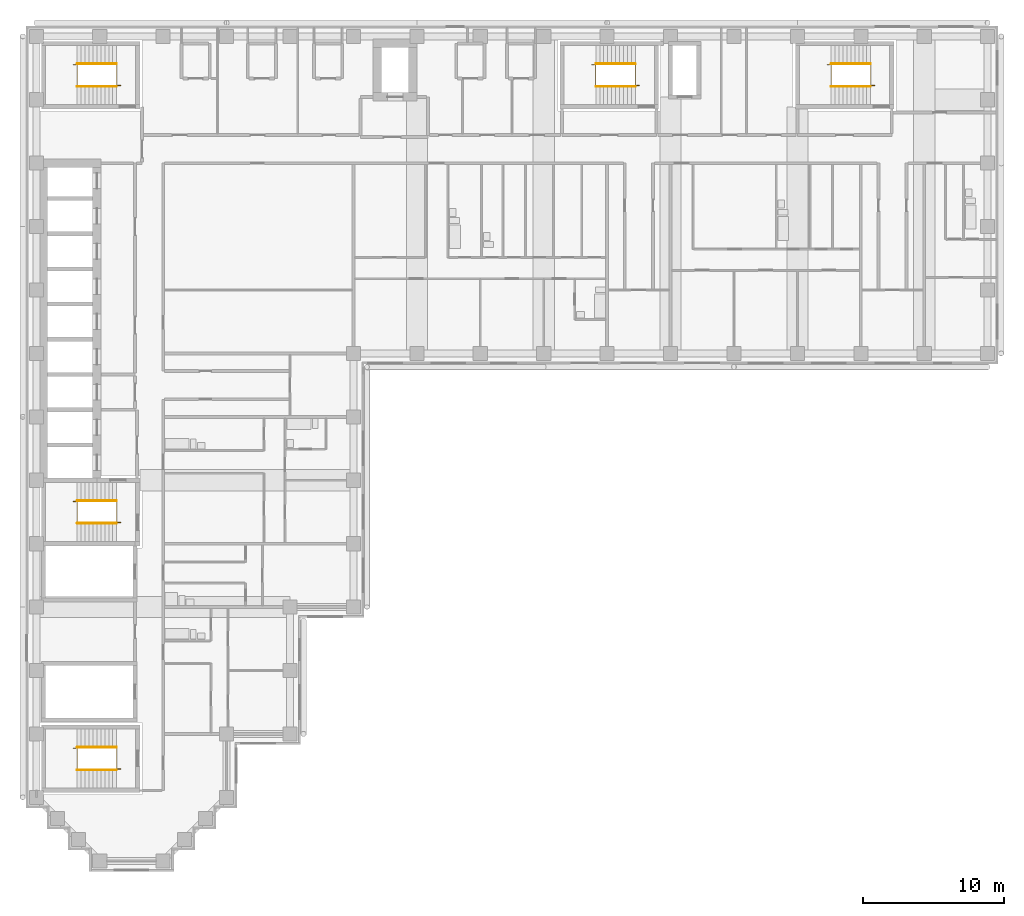
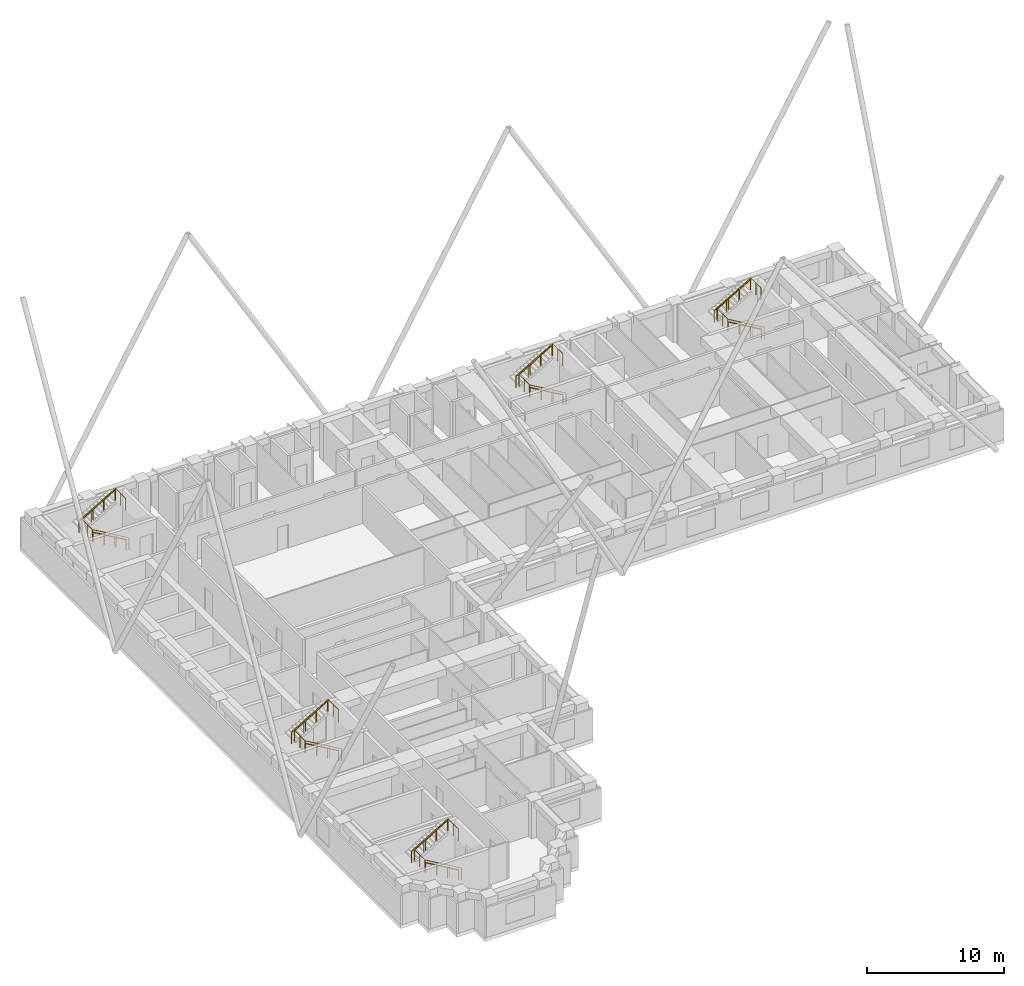
# One storey, part 12 of 13: 15 railings.
"""IFC4 building model written with IfcOpenShell, lengths in metres."""

from ifc_helpers import new_model, si_unit, direction, frame, origin, origin_2d, place, context, subcontext, project, spatial, circle, extrude, material, type_object, element, save


model = new_model("IFC4")

# Units and contexts
model_context = context("Model", 3, precision=1e-05, world=origin(), true_north=direction((0.0, 1.0)))
body_context = subcontext(model_context, "Body", "Model", "MODEL_VIEW")
ifc_project = project(units=[si_unit("LENGTHUNIT", "METRE"), si_unit("AREAUNIT", "SQUARE_METRE"), si_unit("VOLUMEUNIT", "CUBIC_METRE"), si_unit("PLANEANGLEUNIT", "RADIAN"), si_unit("MASSUNIT", "GRAM", prefix="KILO")], contexts=[model_context])

# Site, building, storey
site_placement = place(None, origin())
site = spatial("IfcSite", under=ifc_project, at=site_placement, CompositionType="ELEMENT")
building_placement = place(site_placement, origin())
building = spatial("IfcBuilding", under=site, at=building_placement, Name="Firuza Court", CompositionType="ELEMENT")
storey_placement = place(building_placement, frame((0.0, 0.0, 162.800048828125)))
storey = spatial("IfcBuildingStorey", under=building, at=storey_placement, Name="L41", CompositionType="ELEMENT", Elevation=162.800048828125)

# Railings
ifc_material_1 = material(Name="Steel S355", Category="steel")
railing_type_1 = type_object("IfcRailingType", Name="Handrail 900", PredefinedType="HANDRAIL", material=ifc_material_1)
railing_1_placement = place(storey_placement, frame((42.5, 54.949951171875, 0.16357421875)))
element("IfcRailing", 1, at=railing_1_placement, inside=storey, type_object=railing_type_1, Name="Handrail S1 flight 1", PredefinedType="HANDRAIL", context=body_context, shape_type="SweptSolid", body=[
    extrude(circle(Radius=0.02490234375, at=origin_2d()), frame((0.0, 0.0, 0.875), z_axis=(-0.863360870873, 0.0, 0.504586966384), x_axis=(0.0, -1.0, 0.0)), (0.0, 0.0, 1.0), 3.2431640625),
    extrude(circle(Radius=0.02001953125, at=origin_2d()), origin(), (0.0, 0.0, 1.0), 0.849853515625),
    extrude(circle(Radius=0.02001953125, at=origin_2d()), frame((-0.933349609375, 0.0, 0.54541015625)), (0.0, 0.0, 1.0), 0.849853515625),
    extrude(circle(Radius=0.02001953125, at=origin_2d()), frame((-1.86669921875, 0.0, 1.091064453125)), (0.0, 0.0, 1.0), 0.849853515625),
    extrude(circle(Radius=0.02001953125, at=origin_2d()), frame((-2.800048828125, 0.0, 1.636474609375)), (0.0, 0.0, 1.0), 0.849853515625),
])
railing_2_placement = place(storey_placement, frame((39.699951171875, 56.550048828125, 1.963623046875)))
element("IfcRailing", 2, at=railing_2_placement, inside=storey, type_object=railing_type_1, Name="Handrail S1 flight 2", PredefinedType="HANDRAIL", context=body_context, shape_type="SweptSolid", body=[
    extrude(circle(Radius=0.02490234375, at=origin_2d()), frame((0.0, 0.0, 0.875), z_axis=(0.863393664356, 0.0, 0.504530851732), x_axis=(0.0, 1.0, 0.0)), (0.0, 0.0, 1.0), 3.2431640625),
    extrude(circle(Radius=0.02001953125, at=origin_2d()), origin(), (0.0, 0.0, 1.0), 0.849853515625),
    extrude(circle(Radius=0.02001953125, at=origin_2d()), frame((0.933349609375, 0.0, 0.54541015625)), (0.0, 0.0, 1.0), 0.849853515625),
    extrude(circle(Radius=0.02001953125, at=origin_2d()), frame((1.86669921875, 0.0, 1.0908203125)), (0.0, 0.0, 1.0), 0.849853515625),
    extrude(circle(Radius=0.02001953125, at=origin_2d()), frame((2.800048828125, 0.0, 1.63623046875)), (0.0, 0.0, 1.0), 0.849853515625),
])
railing_3_placement = place(storey_placement, frame((5.699951171875, 23.949951171875, 0.16357421875)))
element("IfcRailing", 3, at=railing_3_placement, inside=storey, type_object=railing_type_1, Name="Handrail S2 flight 1", PredefinedType="HANDRAIL", context=body_context, shape_type="SweptSolid", body=[
    extrude(circle(Radius=0.02490234375, at=origin_2d()), frame((0.0, 0.0, 0.875), z_axis=(-0.863360870873, 0.0, 0.504586966384), x_axis=(0.0, -1.0, 0.0)), (0.0, 0.0, 1.0), 3.2431640625),
    extrude(circle(Radius=0.02001953125, at=origin_2d()), origin(), (0.0, 0.0, 1.0), 0.849853515625),
    extrude(circle(Radius=0.02001953125, at=origin_2d()), frame((-0.933349609375, 0.0, 0.54541015625)), (0.0, 0.0, 1.0), 0.849853515625),
    extrude(circle(Radius=0.02001953125, at=origin_2d()), frame((-1.86669921875, 0.0, 1.091064453125)), (0.0, 0.0, 1.0), 0.849853515625),
    extrude(circle(Radius=0.02001953125, at=origin_2d()), frame((-2.800048828125, 0.0, 1.636474609375)), (0.0, 0.0, 1.0), 0.849853515625),
])
railing_4_placement = place(storey_placement, frame((2.89990234375, 25.550048828125, 1.963623046875)))
element("IfcRailing", 4, at=railing_4_placement, inside=storey, type_object=railing_type_1, Name="Handrail S2 flight 2", PredefinedType="HANDRAIL", context=body_context, shape_type="SweptSolid", body=[
    extrude(circle(Radius=0.02490234375, at=origin_2d()), frame((0.0, 0.0, 0.875), z_axis=(0.863393664356, 0.0, 0.504530851732), x_axis=(0.0, 1.0, 0.0)), (0.0, 0.0, 1.0), 3.2431640625),
    extrude(circle(Radius=0.02001953125, at=origin_2d()), origin(), (0.0, 0.0, 1.0), 0.849853515625),
    extrude(circle(Radius=0.02001953125, at=origin_2d()), frame((0.933349609375, 0.0, 0.54541015625)), (0.0, 0.0, 1.0), 0.849853515625),
    extrude(circle(Radius=0.02001953125, at=origin_2d()), frame((1.86669921875, 0.0, 1.0908203125)), (0.0, 0.0, 1.0), 0.849853515625),
    extrude(circle(Radius=0.02001953125, at=origin_2d()), frame((2.800048828125, 0.0, 1.63623046875)), (0.0, 0.0, 1.0), 0.849853515625),
])
railing_5_placement = place(storey_placement, frame((5.699951171875, 54.949951171875, 0.16357421875)))
element("IfcRailing", 5, at=railing_5_placement, inside=storey, type_object=railing_type_1, Name="Handrail S3 flight 1", PredefinedType="HANDRAIL", context=body_context, shape_type="SweptSolid", body=[
    extrude(circle(Radius=0.02490234375, at=origin_2d()), frame((0.0, 0.0, 0.875), z_axis=(-0.863360870873, 0.0, 0.504586966384), x_axis=(0.0, -1.0, 0.0)), (0.0, 0.0, 1.0), 3.2431640625),
    extrude(circle(Radius=0.02001953125, at=origin_2d()), origin(), (0.0, 0.0, 1.0), 0.849853515625),
    extrude(circle(Radius=0.02001953125, at=origin_2d()), frame((-0.933349609375, 0.0, 0.54541015625)), (0.0, 0.0, 1.0), 0.849853515625),
    extrude(circle(Radius=0.02001953125, at=origin_2d()), frame((-1.86669921875, 0.0, 1.091064453125)), (0.0, 0.0, 1.0), 0.849853515625),
    extrude(circle(Radius=0.02001953125, at=origin_2d()), frame((-2.800048828125, 0.0, 1.636474609375)), (0.0, 0.0, 1.0), 0.849853515625),
])
railing_6_placement = place(storey_placement, frame((2.89990234375, 56.550048828125, 1.963623046875)))
element("IfcRailing", 6, at=railing_6_placement, inside=storey, type_object=railing_type_1, Name="Handrail S3 flight 2", PredefinedType="HANDRAIL", context=body_context, shape_type="SweptSolid", body=[
    extrude(circle(Radius=0.02490234375, at=origin_2d()), frame((0.0, 0.0, 0.875), z_axis=(0.863393664356, 0.0, 0.504530851732), x_axis=(0.0, 1.0, 0.0)), (0.0, 0.0, 1.0), 3.2431640625),
    extrude(circle(Radius=0.02001953125, at=origin_2d()), origin(), (0.0, 0.0, 1.0), 0.849853515625),
    extrude(circle(Radius=0.02001953125, at=origin_2d()), frame((0.933349609375, 0.0, 0.54541015625)), (0.0, 0.0, 1.0), 0.849853515625),
    extrude(circle(Radius=0.02001953125, at=origin_2d()), frame((1.86669921875, 0.0, 1.0908203125)), (0.0, 0.0, 1.0), 0.849853515625),
    extrude(circle(Radius=0.02001953125, at=origin_2d()), frame((2.800048828125, 0.0, 1.63623046875)), (0.0, 0.0, 1.0), 0.849853515625),
])
railing_7_placement = place(storey_placement, frame((59.199951171875, 54.949951171875, 0.16357421875)))
element("IfcRailing", 7, at=railing_7_placement, inside=storey, type_object=railing_type_1, Name="Handrail S4 flight 1", PredefinedType="HANDRAIL", context=body_context, shape_type="SweptSolid", body=[
    extrude(circle(Radius=0.02490234375, at=origin_2d()), frame((0.0, 0.0, 0.875), z_axis=(-0.863360870873, 0.0, 0.504586966384), x_axis=(0.0, -1.0, 0.0)), (0.0, 0.0, 1.0), 3.2431640625),
    extrude(circle(Radius=0.02001953125, at=origin_2d()), origin(), (0.0, 0.0, 1.0), 0.849853515625),
    extrude(circle(Radius=0.02001953125, at=origin_2d()), frame((-0.933349609375, 0.0, 0.54541015625)), (0.0, 0.0, 1.0), 0.849853515625),
    extrude(circle(Radius=0.02001953125, at=origin_2d()), frame((-1.86669921875, 0.0, 1.091064453125)), (0.0, 0.0, 1.0), 0.849853515625),
    extrude(circle(Radius=0.02001953125, at=origin_2d()), frame((-2.800048828125, 0.0, 1.636474609375)), (0.0, 0.0, 1.0), 0.849853515625),
])
railing_8_placement = place(storey_placement, frame((56.39990234375, 56.550048828125, 1.963623046875)))
element("IfcRailing", 8, at=railing_8_placement, inside=storey, type_object=railing_type_1, Name="Handrail S4 flight 2", PredefinedType="HANDRAIL", context=body_context, shape_type="SweptSolid", body=[
    extrude(circle(Radius=0.02490234375, at=origin_2d()), frame((0.0, 0.0, 0.875), z_axis=(0.863393664356, 0.0, 0.504530851732), x_axis=(0.0, 1.0, 0.0)), (0.0, 0.0, 1.0), 3.2431640625),
    extrude(circle(Radius=0.02001953125, at=origin_2d()), origin(), (0.0, 0.0, 1.0), 0.849853515625),
    extrude(circle(Radius=0.02001953125, at=origin_2d()), frame((0.933349609375, 0.0, 0.54541015625)), (0.0, 0.0, 1.0), 0.849853515625),
    extrude(circle(Radius=0.02001953125, at=origin_2d()), frame((1.86669921875, 0.0, 1.0908203125)), (0.0, 0.0, 1.0), 0.849853515625),
    extrude(circle(Radius=0.02001953125, at=origin_2d()), frame((2.800048828125, 0.0, 1.63623046875)), (0.0, 0.0, 1.0), 0.849853515625),
])
railing_9_placement = place(storey_placement, frame((5.699951171875, 6.449951171875, 0.16357421875)))
element("IfcRailing", 9, at=railing_9_placement, inside=storey, type_object=railing_type_1, Name="Handrail S5 flight 1", PredefinedType="HANDRAIL", context=body_context, shape_type="SweptSolid", body=[
    extrude(circle(Radius=0.02490234375, at=origin_2d()), frame((0.0, 0.0, 0.875), z_axis=(-0.863360870873, 0.0, 0.504586966384), x_axis=(0.0, -1.0, 0.0)), (0.0, 0.0, 1.0), 3.2431640625),
    extrude(circle(Radius=0.02001953125, at=origin_2d()), origin(), (0.0, 0.0, 1.0), 0.849853515625),
    extrude(circle(Radius=0.02001953125, at=origin_2d()), frame((-0.933349609375, 0.0, 0.54541015625)), (0.0, 0.0, 1.0), 0.849853515625),
    extrude(circle(Radius=0.02001953125, at=origin_2d()), frame((-1.86669921875, 0.0, 1.091064453125)), (0.0, 0.0, 1.0), 0.849853515625),
    extrude(circle(Radius=0.02001953125, at=origin_2d()), frame((-2.800048828125, 0.0, 1.636474609375)), (0.0, 0.0, 1.0), 0.849853515625),
])
railing_10_placement = place(storey_placement, frame((2.89990234375, 8.050048828125, 1.963623046875)))
element("IfcRailing", 10, at=railing_10_placement, inside=storey, type_object=railing_type_1, Name="Handrail S5 flight 2", PredefinedType="HANDRAIL", context=body_context, shape_type="SweptSolid", body=[
    extrude(circle(Radius=0.02490234375, at=origin_2d()), frame((0.0, 0.0, 0.875), z_axis=(0.863393664356, 0.0, 0.504530851732), x_axis=(0.0, 1.0, 0.0)), (0.0, 0.0, 1.0), 3.2431640625),
    extrude(circle(Radius=0.02001953125, at=origin_2d()), origin(), (0.0, 0.0, 1.0), 0.849853515625),
    extrude(circle(Radius=0.02001953125, at=origin_2d()), frame((0.933349609375, 0.0, 0.54541015625)), (0.0, 0.0, 1.0), 0.849853515625),
    extrude(circle(Radius=0.02001953125, at=origin_2d()), frame((1.86669921875, 0.0, 1.0908203125)), (0.0, 0.0, 1.0), 0.849853515625),
    extrude(circle(Radius=0.02001953125, at=origin_2d()), frame((2.800048828125, 0.0, 1.63623046875)), (0.0, 0.0, 1.0), 0.849853515625),
])
ifc_material_2 = material(Name="Steel S355", Category="steel")
railing_type_2 = type_object("IfcRailingType", Name="Stair guard 1100", PredefinedType="GUARDRAIL", material=ifc_material_2)
railing_11_placement = place(storey_placement, frame((42.780029296875, 55.010009765625, 0.0)))
element("IfcRailing", 11, at=railing_11_placement, inside=storey, type_object=railing_type_2, Name="Stair well guard S1", PredefinedType="GUARDRAIL", context=body_context, shape_type="SweptSolid", body=[
    extrude(circle(Radius=0.02490234375, at=origin_2d()), frame((0.0, 0.0, 1.0751953125), z_axis=(-0.863371556955, 0.0, 0.504568681787), x_axis=(0.0, -1.0, 0.0)), (0.0, 0.0, 1.0), 3.5673828125),
    extrude(circle(Radius=0.02490234375, at=origin_2d()), frame((-3.080078125, 0.0, 2.875), z_axis=(0.0, 1.0, 0.0), x_axis=(-1.0, 0.0, 0.0)), (0.0, 0.0, 1.0), 1.47998046875),
    extrude(circle(Radius=0.02490234375, at=origin_2d()), frame((-3.080078125, 1.47998046875, 2.875), z_axis=(-1.0, 0.0, 0.0), x_axis=(0.0, -1.0, 0.0)), (0.0, 0.0, 1.0), 0.280029296875),
    extrude(circle(Radius=0.02490234375, at=origin_2d()), frame((-3.360107421875, 1.47998046875, 2.875), z_axis=(0.863401368682, 0.0, 0.504517667242), x_axis=(0.0, 1.0, 0.0)), (0.0, 0.0, 1.0), 3.5673828125),
    extrude(circle(Radius=0.02490234375, at=origin_2d()), frame((-0.280029296875, 1.47998046875, 4.6748046875), z_axis=(0.0, -1.0, 0.0), x_axis=(1.0, 0.0, 0.0)), (0.0, 0.0, 1.0), 1.47998046875),
    extrude(circle(Radius=0.02490234375, at=origin_2d()), origin(), (0.0, 0.0, 1.0), 1.050048828125),
    extrude(circle(Radius=0.02490234375, at=origin_2d()), frame((-1.026611328125, 0.0, 0.60009765625)), (0.0, 0.0, 1.0), 1.050048828125),
    extrude(circle(Radius=0.02490234375, at=origin_2d()), frame((-2.053466796875, 0.0, 1.199951171875)), (0.0, 0.0, 1.0), 1.050048828125),
    extrude(circle(Radius=0.02490234375, at=origin_2d()), frame((-3.080078125, 0.0, 1.800048828125)), (0.0, 0.0, 1.0), 1.050048828125),
    extrude(circle(Radius=0.02490234375, at=origin_2d()), frame((-3.080078125, 0.739990234375, 1.800048828125)), (0.0, 0.0, 1.0), 1.050048828125),
    extrude(circle(Radius=0.02490234375, at=origin_2d()), frame((-3.080078125, 1.47998046875, 1.800048828125)), (0.0, 0.0, 1.0), 1.050048828125),
    extrude(circle(Radius=0.02490234375, at=origin_2d()), frame((-3.360107421875, 1.47998046875, 1.800048828125)), (0.0, 0.0, 1.0), 1.050048828125),
    extrude(circle(Radius=0.02490234375, at=origin_2d()), frame((-2.33349609375, 1.47998046875, 2.39990234375)), (0.0, 0.0, 1.0), 1.050048828125),
    extrude(circle(Radius=0.02490234375, at=origin_2d()), frame((-1.306640625, 1.47998046875, 3.0)), (0.0, 0.0, 1.0), 1.050048828125),
    extrude(circle(Radius=0.02490234375, at=origin_2d()), frame((-0.280029296875, 1.47998046875, 3.599853515625)), (0.0, 0.0, 1.0), 1.050048828125),
    extrude(circle(Radius=0.02490234375, at=origin_2d()), frame((-0.280029296875, 0.739990234375, 3.599853515625)), (0.0, 0.0, 1.0), 1.050048828125),
    extrude(circle(Radius=0.02490234375, at=origin_2d()), frame((-0.280029296875, 0.0, 3.599853515625)), (0.0, 0.0, 1.0), 1.050048828125),
])
railing_12_placement = place(storey_placement, frame((5.97998046875, 24.010009765625, 0.0)))
element("IfcRailing", 12, at=railing_12_placement, inside=storey, type_object=railing_type_2, Name="Stair well guard S2", PredefinedType="GUARDRAIL", context=body_context, shape_type="SweptSolid", body=[
    extrude(circle(Radius=0.02490234375, at=origin_2d()), frame((0.0, 0.0, 1.0751953125), z_axis=(-0.863371556955, 0.0, 0.504568681787), x_axis=(0.0, -1.0, 0.0)), (0.0, 0.0, 1.0), 3.5673828125),
    extrude(circle(Radius=0.02490234375, at=origin_2d()), frame((-3.080078125, 0.0, 2.875), z_axis=(0.0, 1.0, 0.0), x_axis=(-1.0, 0.0, 0.0)), (0.0, 0.0, 1.0), 1.47998046875),
    extrude(circle(Radius=0.02490234375, at=origin_2d()), frame((-3.080078125, 1.47998046875, 2.875), z_axis=(-1.0, 0.0, 0.0), x_axis=(0.0, -1.0, 0.0)), (0.0, 0.0, 1.0), 0.27978515625),
    extrude(circle(Radius=0.02490234375, at=origin_2d()), frame((-3.35986328125, 1.47998046875, 2.875), z_axis=(0.863383947312, 0.0, 0.504547479951), x_axis=(0.0, 1.0, 0.0)), (0.0, 0.0, 1.0), 3.567138671875),
    extrude(circle(Radius=0.02490234375, at=origin_2d()), frame((-0.280029296875, 1.47998046875, 4.6748046875), z_axis=(0.0, -1.0, 0.0), x_axis=(1.0, 0.0, 0.0)), (0.0, 0.0, 1.0), 1.47998046875),
    extrude(circle(Radius=0.02490234375, at=origin_2d()), origin(), (0.0, 0.0, 1.0), 1.050048828125),
    extrude(circle(Radius=0.02490234375, at=origin_2d()), frame((-1.026611328125, 0.0, 0.60009765625)), (0.0, 0.0, 1.0), 1.050048828125),
    extrude(circle(Radius=0.02490234375, at=origin_2d()), frame((-2.053466796875, 0.0, 1.199951171875)), (0.0, 0.0, 1.0), 1.050048828125),
    extrude(circle(Radius=0.02490234375, at=origin_2d()), frame((-3.080078125, 0.0, 1.800048828125)), (0.0, 0.0, 1.0), 1.050048828125),
    extrude(circle(Radius=0.02490234375, at=origin_2d()), frame((-3.080078125, 0.739990234375, 1.800048828125)), (0.0, 0.0, 1.0), 1.050048828125),
    extrude(circle(Radius=0.02490234375, at=origin_2d()), frame((-3.080078125, 1.47998046875, 1.800048828125)), (0.0, 0.0, 1.0), 1.050048828125),
    extrude(circle(Radius=0.02490234375, at=origin_2d()), frame((-3.35986328125, 1.47998046875, 1.800048828125)), (0.0, 0.0, 1.0), 1.050048828125),
    extrude(circle(Radius=0.02490234375, at=origin_2d()), frame((-2.333251953125, 1.47998046875, 2.39990234375)), (0.0, 0.0, 1.0), 1.050048828125),
    extrude(circle(Radius=0.02490234375, at=origin_2d()), frame((-1.306640625, 1.47998046875, 3.0)), (0.0, 0.0, 1.0), 1.050048828125),
    extrude(circle(Radius=0.02490234375, at=origin_2d()), frame((-0.280029296875, 1.47998046875, 3.599853515625)), (0.0, 0.0, 1.0), 1.050048828125),
    extrude(circle(Radius=0.02490234375, at=origin_2d()), frame((-0.280029296875, 0.739990234375, 3.599853515625)), (0.0, 0.0, 1.0), 1.050048828125),
    extrude(circle(Radius=0.02490234375, at=origin_2d()), frame((-0.280029296875, 0.0, 3.599853515625)), (0.0, 0.0, 1.0), 1.050048828125),
])
railing_13_placement = place(storey_placement, frame((5.97998046875, 55.010009765625, 0.0)))
element("IfcRailing", 13, at=railing_13_placement, inside=storey, type_object=railing_type_2, Name="Stair well guard S3", PredefinedType="GUARDRAIL", context=body_context, shape_type="SweptSolid", body=[
    extrude(circle(Radius=0.02490234375, at=origin_2d()), frame((0.0, 0.0, 1.0751953125), z_axis=(-0.863371556955, 0.0, 0.504568681787), x_axis=(0.0, -1.0, 0.0)), (0.0, 0.0, 1.0), 3.5673828125),
    extrude(circle(Radius=0.02490234375, at=origin_2d()), frame((-3.080078125, 0.0, 2.875), z_axis=(0.0, 1.0, 0.0), x_axis=(-1.0, 0.0, 0.0)), (0.0, 0.0, 1.0), 1.47998046875),
    extrude(circle(Radius=0.02490234375, at=origin_2d()), frame((-3.080078125, 1.47998046875, 2.875), z_axis=(-1.0, 0.0, 0.0), x_axis=(0.0, -1.0, 0.0)), (0.0, 0.0, 1.0), 0.27978515625),
    extrude(circle(Radius=0.02490234375, at=origin_2d()), frame((-3.35986328125, 1.47998046875, 2.875), z_axis=(0.863383947312, 0.0, 0.504547479951), x_axis=(0.0, 1.0, 0.0)), (0.0, 0.0, 1.0), 3.567138671875),
    extrude(circle(Radius=0.02490234375, at=origin_2d()), frame((-0.280029296875, 1.47998046875, 4.6748046875), z_axis=(0.0, -1.0, 0.0), x_axis=(1.0, 0.0, 0.0)), (0.0, 0.0, 1.0), 1.47998046875),
    extrude(circle(Radius=0.02490234375, at=origin_2d()), origin(), (0.0, 0.0, 1.0), 1.050048828125),
    extrude(circle(Radius=0.02490234375, at=origin_2d()), frame((-1.026611328125, 0.0, 0.60009765625)), (0.0, 0.0, 1.0), 1.050048828125),
    extrude(circle(Radius=0.02490234375, at=origin_2d()), frame((-2.053466796875, 0.0, 1.199951171875)), (0.0, 0.0, 1.0), 1.050048828125),
    extrude(circle(Radius=0.02490234375, at=origin_2d()), frame((-3.080078125, 0.0, 1.800048828125)), (0.0, 0.0, 1.0), 1.050048828125),
    extrude(circle(Radius=0.02490234375, at=origin_2d()), frame((-3.080078125, 0.739990234375, 1.800048828125)), (0.0, 0.0, 1.0), 1.050048828125),
    extrude(circle(Radius=0.02490234375, at=origin_2d()), frame((-3.080078125, 1.47998046875, 1.800048828125)), (0.0, 0.0, 1.0), 1.050048828125),
    extrude(circle(Radius=0.02490234375, at=origin_2d()), frame((-3.35986328125, 1.47998046875, 1.800048828125)), (0.0, 0.0, 1.0), 1.050048828125),
    extrude(circle(Radius=0.02490234375, at=origin_2d()), frame((-2.333251953125, 1.47998046875, 2.39990234375)), (0.0, 0.0, 1.0), 1.050048828125),
    extrude(circle(Radius=0.02490234375, at=origin_2d()), frame((-1.306640625, 1.47998046875, 3.0)), (0.0, 0.0, 1.0), 1.050048828125),
    extrude(circle(Radius=0.02490234375, at=origin_2d()), frame((-0.280029296875, 1.47998046875, 3.599853515625)), (0.0, 0.0, 1.0), 1.050048828125),
    extrude(circle(Radius=0.02490234375, at=origin_2d()), frame((-0.280029296875, 0.739990234375, 3.599853515625)), (0.0, 0.0, 1.0), 1.050048828125),
    extrude(circle(Radius=0.02490234375, at=origin_2d()), frame((-0.280029296875, 0.0, 3.599853515625)), (0.0, 0.0, 1.0), 1.050048828125),
])
railing_14_placement = place(storey_placement, frame((59.47998046875, 55.010009765625, 0.0)))
element("IfcRailing", 14, at=railing_14_placement, inside=storey, type_object=railing_type_2, Name="Stair well guard S4", PredefinedType="GUARDRAIL", context=body_context, shape_type="SweptSolid", body=[
    extrude(circle(Radius=0.02490234375, at=origin_2d()), frame((0.0, 0.0, 1.0751953125), z_axis=(-0.863371556955, 0.0, 0.504568681787), x_axis=(0.0, -1.0, 0.0)), (0.0, 0.0, 1.0), 3.5673828125),
    extrude(circle(Radius=0.02490234375, at=origin_2d()), frame((-3.080078125, 0.0, 2.875), z_axis=(0.0, 1.0, 0.0), x_axis=(-1.0, 0.0, 0.0)), (0.0, 0.0, 1.0), 1.47998046875),
    extrude(circle(Radius=0.02490234375, at=origin_2d()), frame((-3.080078125, 1.47998046875, 2.875), z_axis=(-1.0, 0.0, 0.0), x_axis=(0.0, -1.0, 0.0)), (0.0, 0.0, 1.0), 0.27978515625),
    extrude(circle(Radius=0.02490234375, at=origin_2d()), frame((-3.35986328125, 1.47998046875, 2.875), z_axis=(0.863383947312, 0.0, 0.504547479951), x_axis=(0.0, 1.0, 0.0)), (0.0, 0.0, 1.0), 3.567138671875),
    extrude(circle(Radius=0.02490234375, at=origin_2d()), frame((-0.280029296875, 1.47998046875, 4.6748046875), z_axis=(0.0, -1.0, 0.0), x_axis=(1.0, 0.0, 0.0)), (0.0, 0.0, 1.0), 1.47998046875),
    extrude(circle(Radius=0.02490234375, at=origin_2d()), origin(), (0.0, 0.0, 1.0), 1.050048828125),
    extrude(circle(Radius=0.02490234375, at=origin_2d()), frame((-1.026611328125, 0.0, 0.60009765625)), (0.0, 0.0, 1.0), 1.050048828125),
    extrude(circle(Radius=0.02490234375, at=origin_2d()), frame((-2.053466796875, 0.0, 1.199951171875)), (0.0, 0.0, 1.0), 1.050048828125),
    extrude(circle(Radius=0.02490234375, at=origin_2d()), frame((-3.080078125, 0.0, 1.800048828125)), (0.0, 0.0, 1.0), 1.050048828125),
    extrude(circle(Radius=0.02490234375, at=origin_2d()), frame((-3.080078125, 0.739990234375, 1.800048828125)), (0.0, 0.0, 1.0), 1.050048828125),
    extrude(circle(Radius=0.02490234375, at=origin_2d()), frame((-3.080078125, 1.47998046875, 1.800048828125)), (0.0, 0.0, 1.0), 1.050048828125),
    extrude(circle(Radius=0.02490234375, at=origin_2d()), frame((-3.35986328125, 1.47998046875, 1.800048828125)), (0.0, 0.0, 1.0), 1.050048828125),
    extrude(circle(Radius=0.02490234375, at=origin_2d()), frame((-2.333251953125, 1.47998046875, 2.39990234375)), (0.0, 0.0, 1.0), 1.050048828125),
    extrude(circle(Radius=0.02490234375, at=origin_2d()), frame((-1.306640625, 1.47998046875, 3.0)), (0.0, 0.0, 1.0), 1.050048828125),
    extrude(circle(Radius=0.02490234375, at=origin_2d()), frame((-0.280029296875, 1.47998046875, 3.599853515625)), (0.0, 0.0, 1.0), 1.050048828125),
    extrude(circle(Radius=0.02490234375, at=origin_2d()), frame((-0.280029296875, 0.739990234375, 3.599853515625)), (0.0, 0.0, 1.0), 1.050048828125),
    extrude(circle(Radius=0.02490234375, at=origin_2d()), frame((-0.280029296875, 0.0, 3.599853515625)), (0.0, 0.0, 1.0), 1.050048828125),
])
railing_15_placement = place(storey_placement, frame((5.97998046875, 6.510009765625, 0.0)))
element("IfcRailing", 15, at=railing_15_placement, inside=storey, type_object=railing_type_2, Name="Stair well guard S5", PredefinedType="GUARDRAIL", context=body_context, shape_type="SweptSolid", body=[
    extrude(circle(Radius=0.02490234375, at=origin_2d()), frame((0.0, 0.0, 1.0751953125), z_axis=(-0.863371556955, 0.0, 0.504568681787), x_axis=(0.0, -1.0, 0.0)), (0.0, 0.0, 1.0), 3.5673828125),
    extrude(circle(Radius=0.02490234375, at=origin_2d()), frame((-3.080078125, 0.0, 2.875), z_axis=(0.0, 1.0, 0.0), x_axis=(-1.0, 0.0, 0.0)), (0.0, 0.0, 1.0), 1.47998046875),
    extrude(circle(Radius=0.02490234375, at=origin_2d()), frame((-3.080078125, 1.47998046875, 2.875), z_axis=(-1.0, 0.0, 0.0), x_axis=(0.0, -1.0, 0.0)), (0.0, 0.0, 1.0), 0.27978515625),
    extrude(circle(Radius=0.02490234375, at=origin_2d()), frame((-3.35986328125, 1.47998046875, 2.875), z_axis=(0.863383947312, 0.0, 0.504547479951), x_axis=(0.0, 1.0, 0.0)), (0.0, 0.0, 1.0), 3.567138671875),
    extrude(circle(Radius=0.02490234375, at=origin_2d()), frame((-0.280029296875, 1.47998046875, 4.6748046875), z_axis=(0.0, -1.0, 0.0), x_axis=(1.0, 0.0, 0.0)), (0.0, 0.0, 1.0), 1.47998046875),
    extrude(circle(Radius=0.02490234375, at=origin_2d()), origin(), (0.0, 0.0, 1.0), 1.050048828125),
    extrude(circle(Radius=0.02490234375, at=origin_2d()), frame((-1.026611328125, 0.0, 0.60009765625)), (0.0, 0.0, 1.0), 1.050048828125),
    extrude(circle(Radius=0.02490234375, at=origin_2d()), frame((-2.053466796875, 0.0, 1.199951171875)), (0.0, 0.0, 1.0), 1.050048828125),
    extrude(circle(Radius=0.02490234375, at=origin_2d()), frame((-3.080078125, 0.0, 1.800048828125)), (0.0, 0.0, 1.0), 1.050048828125),
    extrude(circle(Radius=0.02490234375, at=origin_2d()), frame((-3.080078125, 0.739990234375, 1.800048828125)), (0.0, 0.0, 1.0), 1.050048828125),
    extrude(circle(Radius=0.02490234375, at=origin_2d()), frame((-3.080078125, 1.47998046875, 1.800048828125)), (0.0, 0.0, 1.0), 1.050048828125),
    extrude(circle(Radius=0.02490234375, at=origin_2d()), frame((-3.35986328125, 1.47998046875, 1.800048828125)), (0.0, 0.0, 1.0), 1.050048828125),
    extrude(circle(Radius=0.02490234375, at=origin_2d()), frame((-2.333251953125, 1.47998046875, 2.39990234375)), (0.0, 0.0, 1.0), 1.050048828125),
    extrude(circle(Radius=0.02490234375, at=origin_2d()), frame((-1.306640625, 1.47998046875, 3.0)), (0.0, 0.0, 1.0), 1.050048828125),
    extrude(circle(Radius=0.02490234375, at=origin_2d()), frame((-0.280029296875, 1.47998046875, 3.599853515625)), (0.0, 0.0, 1.0), 1.050048828125),
    extrude(circle(Radius=0.02490234375, at=origin_2d()), frame((-0.280029296875, 0.739990234375, 3.599853515625)), (0.0, 0.0, 1.0), 1.050048828125),
    extrude(circle(Radius=0.02490234375, at=origin_2d()), frame((-0.280029296875, 0.0, 3.599853515625)), (0.0, 0.0, 1.0), 1.050048828125),
])

save(model, "model.ifc")
